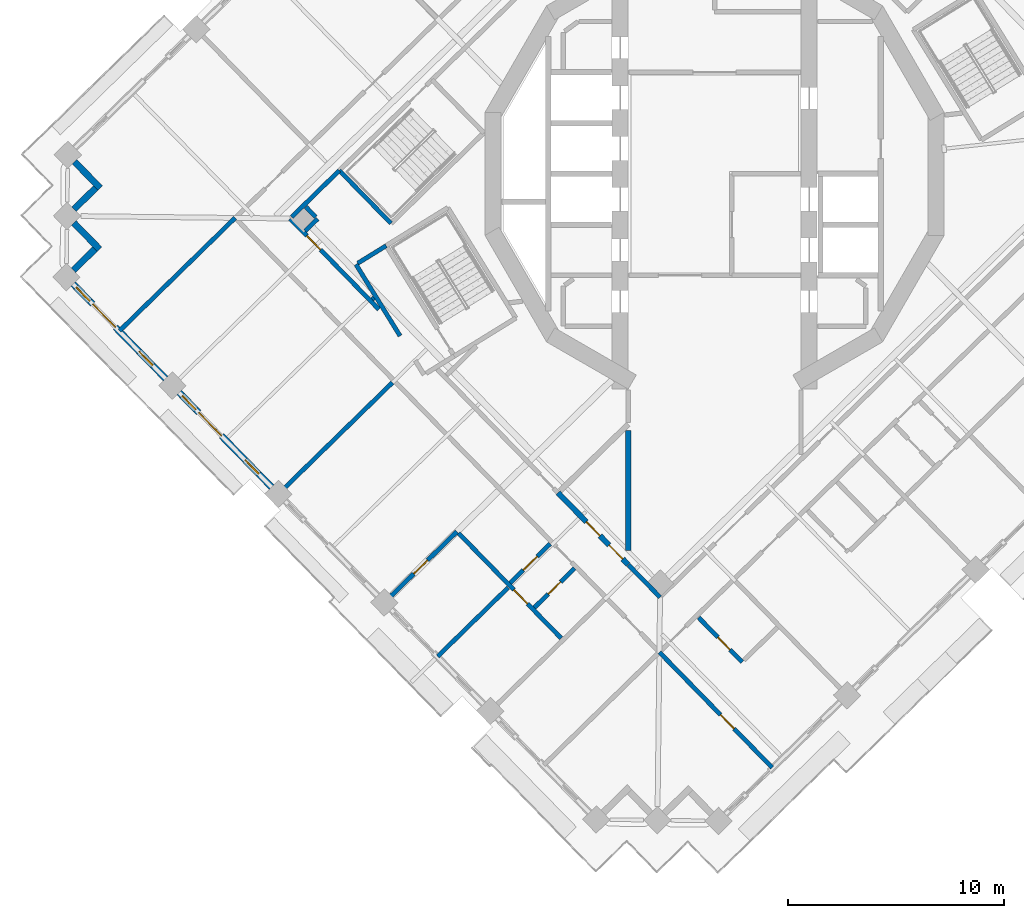
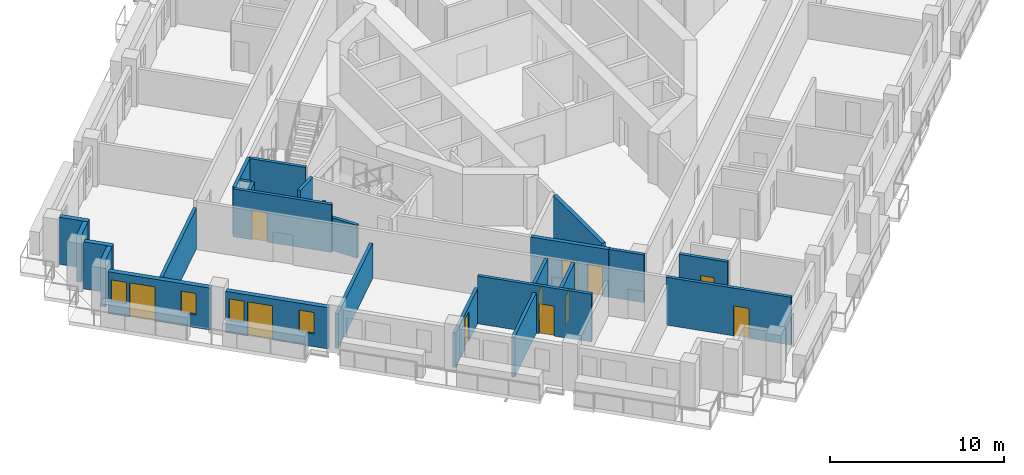
# One storey, part 7 of 20: 26 walls, 11 doors, 4 windows, 15 openings.
"""IFC4 building model written with IfcOpenShell, lengths in metres."""

from ifc_helpers import new_model, si_unit, direction, frame, frame_2d, origin, place, context, subcontext, project, spatial, rectangle, extrude, material, layer, layer_set, type_object, element, fill, save


model = new_model("IFC4")

# Units and contexts
model_context = context("Model", 3, precision=1e-05, world=origin(), true_north=direction((0.0, 1.0)))
body_context = subcontext(model_context, "Body", "Model", "MODEL_VIEW")
ifc_project = project(units=[si_unit("LENGTHUNIT", "METRE"), si_unit("AREAUNIT", "SQUARE_METRE"), si_unit("VOLUMEUNIT", "CUBIC_METRE"), si_unit("PLANEANGLEUNIT", "RADIAN"), si_unit("MASSUNIT", "GRAM", prefix="KILO")], contexts=[model_context])

# Site, building, storey
site_placement = place(None, origin())
site = spatial("IfcSite", under=ifc_project, at=site_placement, CompositionType="ELEMENT")
building_placement = place(site_placement, origin())
building = spatial("IfcBuilding", under=site, at=building_placement, Name="Cantera Rosa Tower", CompositionType="ELEMENT")
storey_placement = place(building_placement, frame((0.0, 0.0, 212.60009765625)))
storey = spatial("IfcBuildingStorey", under=building, at=storey_placement, Name="L45", CompositionType="ELEMENT", Elevation=212.60009765625)

# Wall
ifc_material_1 = material(Name="Gypsum board partition")
ifc_layer_1 = layer(ifc_material_1, 0.199951171875)
ifc_layer_set_1 = layer_set([ifc_layer_1], Name="CORRIDOR WALL 200 H2300")
wall_type_1 = type_object("IfcWallType", Name="CORRIDOR WALL 200 H2300", PredefinedType="PARTITIONING", material=ifc_layer_set_1)
wall_1_placement = place(storey_placement, frame((-16.6005859375, -4.189697265625, 0.0), z_axis=(0.0, 0.0, 1.0), x_axis=(0.524986446256, -0.851110586967, 0.0)))
element("IfcWall", 1, at=wall_1_placement, inside=storey, type_object=wall_type_1, Name="CORRIDOR WALL L45-009", PredefinedType="PARTITIONING", context=body_context, shape_type="SweptSolid", body=[
    extrude(rectangle(XDim=3.890625, YDim=0.199951171875, at=frame_2d((1.9453125, 0.0))), origin(), (0.0, 0.0, 1.0), 2.2998046875),
])

# Wall, opening, door
ifc_material_2 = material(Name="Gypsum board partition")
ifc_layer_2 = layer(ifc_material_2, 0.199951171875)
ifc_layer_set_2 = layer_set([ifc_layer_2], Name="CORRIDOR WALL 200 H3350")
wall_type_2 = type_object("IfcWallType", Name="CORRIDOR WALL 200 H3350", PredefinedType="PARTITIONING", material=ifc_layer_set_2)
wall_2_placement = place(storey_placement, frame((-19.647705078125, -2.069580078125, 0.0), z_axis=(0.0, 0.0, 1.0), x_axis=(0.698845926006, -0.715272236079, 0.0)))
wall_2 = element("IfcWall", 2, at=wall_2_placement, inside=storey, type_object=wall_type_2, Name="CORRIDOR WALL L45-003", PredefinedType="PARTITIONING", context=body_context, shape_type="SweptSolid", body=[
    extrude(rectangle(XDim=5.870849609375, YDim=0.199951171875, at=frame_2d((2.935546875, 0.0))), origin(), (0.0, 0.0, 1.0), 3.349853515625),
])
opening_1_placement = place(wall_2_placement, frame((1.11279296875, 0.0, 0.0)))
opening_1 = element("IfcOpeningElement", 3, at=opening_1_placement, cuts=wall_2, Name="Opening L45-008", PredefinedType="OPENING", context=body_context, shape_type="SweptSolid", body=[
    extrude(rectangle(XDim=0.89990234375, YDim=2.10009765625, at=frame_2d((0.449951171875, 1.050048828125))), frame((0.0, 0.10986328125, 0.0), z_axis=(0.0, -1.0, 0.0), x_axis=(1.0, 0.0, 0.0)), (0.0, 0.0, 1.0), 0.219970703125),
])
ifc_material_3 = material(Name="Timber door leaf", Category="wood")
door_type_1 = type_object("IfcDoorType", Name="SERVICE DOOR 900x2100", OperationType="NOTDEFINED", PredefinedType="DOOR", material=ifc_material_3)
door_1_placement = place(opening_1_placement, origin())
door_1 = element("IfcDoor", 4, at=door_1_placement, inside=storey, type_object=door_type_1, Name="DOOR L45-008", OperationType="NOTDEFINED", OverallHeight=2.10009765625, OverallWidth=0.89990234375, PredefinedType="DOOR", context=body_context, shape_type="SweptSolid", body=[
    extrude(rectangle(XDim=0.89990234375, YDim=2.10009765625, at=frame_2d((0.449951171875, 1.050048828125))), frame((0.0, 0.02490234375, 0.0), z_axis=(0.0, -1.0, 0.0), x_axis=(1.0, 0.0, 0.0)), (0.0, 0.0, 1.0), 0.050048828125),
])
fill(opening_1, door_1)

# Walls
wall_3_placement = place(storey_placement, frame((-17.36962890625, 0.156005859375, 0.0), z_axis=(0.0, 0.0, 1.0), x_axis=(-0.715289693103, -0.69882805821, 0.0)))
element("IfcWall", 5, at=wall_3_placement, inside=storey, type_object=wall_type_2, Name="CORRIDOR WALL L45-007", PredefinedType="PARTITIONING", context=body_context, shape_type="SweptSolid", body=[
    extrude(rectangle(XDim=3.084716796875, YDim=0.199951171875, at=frame_2d((1.54248046875, 0.0))), origin(), (0.0, 0.0, 1.0), 3.349853515625),
])
wall_4_placement = place(storey_placement, frame((-15.20068359375, -3.325927734375, 0.0), z_axis=(0.0, 0.0, 1.0), x_axis=(-0.851055543597, -0.525075672368, 0.0)))
element("IfcWall", 6, at=wall_4_placement, inside=storey, type_object=wall_type_2, Name="CORRIDOR WALL L45-013", PredefinedType="PARTITIONING", context=body_context, shape_type="SweptSolid", body=[
    extrude(rectangle(XDim=1.545166015625, YDim=0.199951171875, at=frame_2d((0.7724609375, 0.0))), origin(), (0.0, 0.0, 1.0), 3.349853515625),
])
wall_5_placement = place(storey_placement, frame((-3.986083984375, -18.10009765625, 0.0), z_axis=(0.0, 0.0, 1.0), x_axis=(0.698877234419, -0.715241645327, 0.0)))
element("IfcWall", 7, at=wall_5_placement, inside=storey, type_object=wall_type_2, Name="CORRIDOR WALL L45-054", PredefinedType="PARTITIONING", context=body_context, shape_type="SweptSolid", body=[
    extrude(rectangle(XDim=2.088623046875, YDim=0.199951171875, at=frame_2d((1.04443359375, 0.0))), origin(), (0.0, 0.0, 1.0), 3.349853515625),
])
ifc_material_4 = material(Name="Hollow clay masonry with cantera stone cladding", Category="masonry")
ifc_layer_3 = layer(ifc_material_4, 0.300048828125)
ifc_layer_set_3 = layer_set([ifc_layer_3], Name="EW-LOGGIA 300")
wall_type_3 = type_object("IfcWallType", Name="EW-LOGGIA 300", PredefinedType="SOLIDWALL", material=ifc_layer_set_3)
wall_6_placement = place(storey_placement, frame((-29.623291015625, 0.556884765625, 0.0), z_axis=(0.0, 0.0, 1.0), x_axis=(0.69880105094, -0.715316077832, 0.0)))
element("IfcWall", 8, at=wall_6_placement, inside=storey, type_object=wall_type_3, Name="EN-L45-W12a", PredefinedType="SOLIDWALL", context=body_context, shape_type="SweptSolid", body=[
    extrude(rectangle(XDim=1.699951171875, YDim=0.300048828125, at=frame_2d((0.85009765625, 0.0))), origin(), (0.0, 0.0, 1.0), 3.2998046875),
])
wall_7_placement = place(storey_placement, frame((-28.6474609375, -0.65673828125, 0.0), z_axis=(0.0, 0.0, 1.0), x_axis=(-0.715341715727, -0.698774806172, 0.0)))
element("IfcWall", 9, at=wall_7_placement, inside=storey, type_object=wall_type_3, Name="EN-L45-W12b", PredefinedType="SOLIDWALL", context=body_context, shape_type="SweptSolid", body=[
    extrude(rectangle(XDim=1.39990234375, YDim=0.300048828125, at=frame_2d((0.699951171875, 0.0))), origin(), (0.0, 0.0, 1.0), 3.2998046875),
])
wall_8_placement = place(storey_placement, frame((-29.65625, -2.271484375, 0.0), z_axis=(0.0, 0.0, 1.0), x_axis=(0.698872839675, -0.715245939495, 0.0)))
element("IfcWall", 10, at=wall_8_placement, inside=storey, type_object=wall_type_3, Name="EN-L45-W13a", PredefinedType="SOLIDWALL", context=body_context, shape_type="SweptSolid", body=[
    extrude(rectangle(XDim=1.699951171875, YDim=0.300048828125, at=frame_2d((0.85009765625, 0.0))), origin(), (0.0, 0.0, 1.0), 3.2998046875),
])
wall_9_placement = place(storey_placement, frame((-28.680419921875, -3.48486328125, 0.0), z_axis=(0.0, 0.0, 1.0), x_axis=(-0.71516937164, -0.698951192766, 0.0)))
element("IfcWall", 11, at=wall_9_placement, inside=storey, type_object=wall_type_3, Name="EN-L45-W13b", PredefinedType="SOLIDWALL", context=body_context, shape_type="SweptSolid", body=[
    extrude(rectangle(XDim=1.39990234375, YDim=0.300048828125, at=frame_2d((0.699951171875, 0.0))), origin(), (0.0, 0.0, 1.0), 3.2998046875),
])

# Wall, openings, windows, door
ifc_material_5 = material(Name="Hollow clay masonry with cantera stone cladding", Category="masonry")
ifc_layer_4 = layer(ifc_material_5, 0.300048828125)
ifc_layer_set_4 = layer_set([ifc_layer_4], Name="EW-LOGGIA 300 H2890")
wall_type_4 = type_object("IfcWallType", Name="EW-LOGGIA 300 H2890", PredefinedType="SOLIDWALL", material=ifc_layer_set_4)
wall_10_placement = place(storey_placement, frame((-24.783203125, -10.120849609375, 0.0), z_axis=(0.0, 0.0, 1.0), x_axis=(0.698800768177, -0.715316354067, 0.0)))
wall_10 = element("IfcWall", 12, at=wall_10_placement, inside=storey, type_object=wall_type_4, Name="EN-L45-W15", PredefinedType="SOLIDWALL", context=body_context, shape_type="SweptSolid", body=[
    extrude(rectangle(XDim=6.119873046875, YDim=0.300048828125, at=frame_2d((3.06005859375, 0.0))), origin(), (0.0, 0.0, 1.0), 2.889892578125),
])
opening_2_placement = place(wall_10_placement, frame((0.199951171875, 0.0, 0.89990234375)))
opening_2 = element("IfcOpeningElement", 13, at=opening_2_placement, cuts=wall_10, Name="Opening L45-W25", PredefinedType="OPENING", context=body_context, shape_type="SweptSolid", body=[
    extrude(rectangle(XDim=0.89990234375, YDim=1.5, at=frame_2d((0.449951171875, 0.75))), frame((0.0, 0.159912109375, 0.0), z_axis=(0.0, -1.0, 0.0), x_axis=(1.0, 0.0, 0.0)), (0.0, 0.0, 1.0), 0.320068359375),
])
opening_3_placement = place(wall_10_placement, frame((1.300048828125, 0.0, 0.0)))
opening_3 = element("IfcOpeningElement", 14, at=opening_3_placement, cuts=wall_10, Name="Opening L45-TD26", PredefinedType="OPENING", context=body_context, shape_type="SweptSolid", body=[
    extrude(rectangle(XDim=1.5, YDim=2.39990234375, at=frame_2d((0.75, 1.199951171875))), frame((0.0, 0.159912109375, 0.0), z_axis=(0.0, -1.0, 0.0), x_axis=(1.0, 0.0, 0.0)), (0.0, 0.0, 1.0), 0.320068359375),
])
opening_4_placement = place(wall_10_placement, frame((4.364990234375, 0.0, 0.89990234375)))
opening_4 = element("IfcOpeningElement", 15, at=opening_4_placement, cuts=wall_10, Name="Opening L45-W27", PredefinedType="OPENING", context=body_context, shape_type="SweptSolid", body=[
    extrude(rectangle(XDim=0.89990234375, YDim=1.5, at=frame_2d((0.449951171875, 0.75))), frame((0.0, 0.159912109375, 0.0), z_axis=(0.0, -1.0, 0.0), x_axis=(1.0, 0.0, 0.0)), (0.0, 0.0, 1.0), 0.320068359375),
])
ifc_material_6 = material(Name="Aluminium frame with clear glass", Category="aluminium")
window_type = type_object("IfcWindowType", Name="Residential window 900x1500", PartitioningType="SINGLE_PANEL", PredefinedType="WINDOW", material=ifc_material_6)
window_1_placement = place(opening_2_placement, origin())
window_1 = element("IfcWindow", 16, at=window_1_placement, inside=storey, type_object=window_type, Name="WINDOW L45-W25", OverallHeight=1.5, OverallWidth=0.89990234375, PartitioningType="SINGLE_PANEL", PredefinedType="WINDOW", context=body_context, shape_type="SweptSolid", body=[
    extrude(rectangle(XDim=0.89990234375, YDim=1.5, at=frame_2d((0.449951171875, 0.75))), frame((0.0, 0.030029296875, 0.0), z_axis=(0.0, -1.0, 0.0), x_axis=(1.0, 0.0, 0.0)), (0.0, 0.0, 1.0), 0.06005859375),
])
fill(opening_2, window_1)
window_2_placement = place(opening_4_placement, origin())
window_2 = element("IfcWindow", 17, at=window_2_placement, inside=storey, type_object=window_type, Name="WINDOW L45-W27", OverallHeight=1.5, OverallWidth=0.89990234375, PartitioningType="SINGLE_PANEL", PredefinedType="WINDOW", context=body_context, shape_type="SweptSolid", body=[
    extrude(rectangle(XDim=0.89990234375, YDim=1.5, at=frame_2d((0.449951171875, 0.75))), frame((0.0, 0.030029296875, 0.0), z_axis=(0.0, -1.0, 0.0), x_axis=(1.0, 0.0, 0.0)), (0.0, 0.0, 1.0), 0.06005859375),
])
fill(opening_4, window_2)
ifc_material_7 = material(Name="Aluminium frame with clear glass", Category="aluminium")
door_type_2 = type_object("IfcDoorType", Name="TD-R 1500x2400", OperationType="NOTDEFINED", PredefinedType="DOOR", material=ifc_material_7)
door_2_placement = place(opening_3_placement, origin())
door_2 = element("IfcDoor", 18, at=door_2_placement, inside=storey, type_object=door_type_2, Name="LOGGIA DOOR L45-TD26", OperationType="SLIDING_TO_LEFT", OverallHeight=2.39990234375, OverallWidth=1.5, PredefinedType="DOOR", context=body_context, shape_type="SweptSolid", body=[
    extrude(rectangle(XDim=1.5, YDim=2.39990234375, at=frame_2d((0.75, 1.199951171875))), frame((0.0, 0.02490234375, 0.0), z_axis=(0.0, -1.0, 0.0), x_axis=(1.0, 0.0, 0.0)), (0.0, 0.0, 1.0), 0.050048828125),
])
fill(opening_3, door_2)

ifc_material_8 = material(Name="Hollow clay masonry with cantera stone cladding", Category="masonry")
ifc_layer_5 = layer(ifc_material_8, 0.300048828125)
ifc_layer_set_5 = layer_set([ifc_layer_5], Name="EW-LOGGIA 300 H2940")
wall_type_5 = type_object("IfcWallType", Name="EW-LOGGIA 300 H2940", PredefinedType="SOLIDWALL", material=ifc_layer_set_5)
wall_11_placement = place(storey_placement, frame((-29.689208984375, -5.099609375, 0.0), z_axis=(0.0, 0.0, 1.0), x_axis=(0.69882117953, -0.715296413412, 0.0)))
wall_11 = element("IfcWall", 19, at=wall_11_placement, inside=storey, type_object=wall_type_5, Name="EN-L45-W14", PredefinedType="SOLIDWALL", context=body_context, shape_type="SweptSolid", body=[
    extrude(rectangle(XDim=6.1201171875, YDim=0.300048828125, at=frame_2d((3.06005859375, 0.0))), origin(), (0.0, 0.0, 1.0), 2.93994140625),
])
opening_5_placement = place(wall_11_placement, frame((0.199951171875, 0.0, 0.89990234375)))
opening_5 = element("IfcOpeningElement", 20, at=opening_5_placement, cuts=wall_11, Name="Opening L45-W22", PredefinedType="OPENING", context=body_context, shape_type="SweptSolid", body=[
    extrude(rectangle(XDim=0.89990234375, YDim=1.5, at=frame_2d((0.449951171875, 0.75))), frame((0.0, 0.159912109375, 0.0), z_axis=(0.0, -1.0, 0.0), x_axis=(1.0, 0.0, 0.0)), (0.0, 0.0, 1.0), 0.320068359375),
])
opening_6_placement = place(wall_11_placement, frame((1.300048828125, 0.0, 0.0)))
opening_6 = element("IfcOpeningElement", 21, at=opening_6_placement, cuts=wall_11, Name="Opening L45-TD23", PredefinedType="OPENING", context=body_context, shape_type="SweptSolid", body=[
    extrude(rectangle(XDim=1.5, YDim=2.39990234375, at=frame_2d((0.75, 1.199951171875))), frame((0.0, 0.159912109375, 0.0), z_axis=(0.0, -1.0, 0.0), x_axis=(1.0, 0.0, 0.0)), (0.0, 0.0, 1.0), 0.320068359375),
])
opening_7_placement = place(wall_11_placement, frame((4.364990234375, 0.0, 0.89990234375)))
opening_7 = element("IfcOpeningElement", 22, at=opening_7_placement, cuts=wall_11, Name="Opening L45-W24", PredefinedType="OPENING", context=body_context, shape_type="SweptSolid", body=[
    extrude(rectangle(XDim=0.89990234375, YDim=1.5, at=frame_2d((0.449951171875, 0.75))), frame((0.0, 0.159912109375, 0.0), z_axis=(0.0, -1.0, 0.0), x_axis=(1.0, 0.0, 0.0)), (0.0, 0.0, 1.0), 0.320068359375),
])
window_3_placement = place(opening_5_placement, origin())
window_3 = element("IfcWindow", 23, at=window_3_placement, inside=storey, type_object=window_type, Name="WINDOW L45-W22", OverallHeight=1.5, OverallWidth=0.89990234375, PartitioningType="SINGLE_PANEL", PredefinedType="WINDOW", context=body_context, shape_type="SweptSolid", body=[
    extrude(rectangle(XDim=0.89990234375, YDim=1.5, at=frame_2d((0.449951171875, 0.75))), frame((0.0, 0.030029296875, 0.0), z_axis=(0.0, -1.0, 0.0), x_axis=(1.0, 0.0, 0.0)), (0.0, 0.0, 1.0), 0.06005859375),
])
fill(opening_5, window_3)
window_4_placement = place(opening_7_placement, origin())
window_4 = element("IfcWindow", 24, at=window_4_placement, inside=storey, type_object=window_type, Name="WINDOW L45-W24", OverallHeight=1.5, OverallWidth=0.89990234375, PartitioningType="SINGLE_PANEL", PredefinedType="WINDOW", context=body_context, shape_type="SweptSolid", body=[
    extrude(rectangle(XDim=0.89990234375, YDim=1.5, at=frame_2d((0.449951171875, 0.75))), frame((0.0, 0.030029296875, 0.0), z_axis=(0.0, -1.0, 0.0), x_axis=(1.0, 0.0, 0.0)), (0.0, 0.0, 1.0), 0.06005859375),
])
fill(opening_7, window_4)
door_3_placement = place(opening_6_placement, origin())
door_3 = element("IfcDoor", 25, at=door_3_placement, inside=storey, type_object=door_type_2, Name="LOGGIA DOOR L45-TD23", OperationType="SLIDING_TO_LEFT", OverallHeight=2.39990234375, OverallWidth=1.5, PredefinedType="DOOR", context=body_context, shape_type="SweptSolid", body=[
    extrude(rectangle(XDim=1.5, YDim=2.39990234375, at=frame_2d((0.75, 1.199951171875))), frame((0.0, 0.02490234375, 0.0), z_axis=(0.0, -1.0, 0.0), x_axis=(1.0, 0.0, 0.0)), (0.0, 0.0, 1.0), 0.050048828125),
])
fill(opening_6, door_3)

# Wall, opening, door
ifc_material_9 = material(Name="Gypsum board partition")
ifc_layer_6 = layer(ifc_material_9, 0.199951171875)
ifc_layer_set_6 = layer_set([ifc_layer_6], Name="PARTITION 200 H2450")
wall_type_6 = type_object("IfcWallType", Name="PARTITION 200 H2450", PredefinedType="PARTITIONING", material=ifc_layer_set_6)
wall_12_placement = place(storey_placement, frame((-15.2646484375, -19.82080078125, 0.0), z_axis=(0.0, 0.0, 1.0), x_axis=(0.715266781779, 0.698851508465, 0.0)))
wall_12 = element("IfcWall", 26, at=wall_12_placement, inside=storey, type_object=wall_type_6, Name="PARTITION L45-012", PredefinedType="PARTITIONING", context=body_context, shape_type="SweptSolid", body=[
    extrude(rectangle(XDim=4.670166015625, YDim=0.199951171875, at=frame_2d((2.3349609375, 0.0))), origin(), (0.0, 0.0, 1.0), 2.449951171875),
])
opening_8_placement = place(wall_12_placement, frame((1.8701171875, 0.0, 0.0)))
opening_8 = element("IfcOpeningElement", 27, at=opening_8_placement, cuts=wall_12, Name="Opening L45-043", PredefinedType="OPENING", context=body_context, shape_type="SweptSolid", body=[
    extrude(rectangle(XDim=0.89990234375, YDim=2.10009765625, at=frame_2d((0.449951171875, 1.050048828125))), frame((0.0, 0.10986328125, 0.0), z_axis=(0.0, -1.0, 0.0), x_axis=(1.0, 0.0, 0.0)), (0.0, 0.0, 1.0), 0.219970703125),
])
ifc_material_10 = material(Name="Timber door leaf", Category="wood")
door_type_3 = type_object("IfcDoorType", Name="ROOM DOOR 900x2100", OperationType="NOTDEFINED", PredefinedType="DOOR", material=ifc_material_10)
door_4_placement = place(opening_8_placement, origin())
door_4 = element("IfcDoor", 28, at=door_4_placement, inside=storey, type_object=door_type_3, Name="DOOR L45-043", OperationType="NOTDEFINED", OverallHeight=2.10009765625, OverallWidth=0.89990234375, PredefinedType="DOOR", context=body_context, shape_type="SweptSolid", body=[
    extrude(rectangle(XDim=0.89990234375, YDim=2.10009765625, at=frame_2d((0.449951171875, 1.050048828125))), frame((0.0, 0.02490234375, 0.0), z_axis=(0.0, -1.0, 0.0), x_axis=(1.0, 0.0, 0.0)), (0.0, 0.0, 1.0), 0.050048828125),
])
fill(opening_8, door_4)

# Walls
ifc_material_11 = material(Name="Gypsum board partition")
ifc_layer_7 = layer(ifc_material_11, 0.199951171875)
ifc_layer_set_7 = layer_set([ifc_layer_7], Name="PARTITION 200 H2850")
wall_type_7 = type_object("IfcWallType", Name="PARTITION 200 H2850", PredefinedType="PARTITIONING", material=ifc_layer_set_7)
wall_13_placement = place(storey_placement, frame((-22.193115234375, -2.0400390625, 0.0), z_axis=(0.0, 0.0, 1.0), x_axis=(-0.715278908715, -0.698839096465, 0.0)))
element("IfcWall", 29, at=wall_13_placement, inside=storey, type_object=wall_type_7, Name="PARTITION L45-001", PredefinedType="PARTITIONING", context=body_context, shape_type="SweptSolid", body=[
    extrude(rectangle(XDim=7.4697265625, YDim=0.199951171875, at=frame_2d((3.73486328125, 0.0))), origin(), (0.0, 0.0, 1.0), 2.849853515625),
])
wall_14_placement = place(storey_placement, frame((-12.811767578125, -22.331298828125, 0.0), z_axis=(0.0, 0.0, 1.0), x_axis=(0.715268883314, 0.698849357561, 0.0)))
element("IfcWall", 30, at=wall_14_placement, inside=storey, type_object=wall_type_7, Name="PARTITION L45-020", PredefinedType="PARTITIONING", context=body_context, shape_type="SweptSolid", body=[
    extrude(rectangle(XDim=4.5498046875, YDim=0.199951171875, at=frame_2d((2.27490234375, 0.0))), origin(), (0.0, 0.0, 1.0), 2.849853515625),
])
ifc_material_12 = material(Name="Gypsum board partition")
ifc_layer_8 = layer(ifc_material_12, 0.199951171875)
ifc_layer_set_8 = layer_set([ifc_layer_8], Name="PARTITION 200 H3350")
wall_type_8 = type_object("IfcWallType", Name="PARTITION 200 H3350", PredefinedType="PARTITIONING", material=ifc_layer_set_8)
wall_15_placement = place(storey_placement, frame((-18.947021484375, -2.6435546875, 0.0), z_axis=(0.0, 0.0, 1.0), x_axis=(0.715149057924, 0.698971977228, 0.0)))
element("IfcWall", 31, at=wall_15_placement, inside=storey, type_object=wall_type_8, Name="PARTITION L45-004", PredefinedType="PARTITIONING", context=body_context, shape_type="SweptSolid", body=[
    extrude(rectangle(XDim=0.7998046875, YDim=0.199951171875, at=frame_2d((0.39990234375, 0.0))), origin(), (0.0, 0.0, 1.0), 3.349853515625),
])
wall_16_placement = place(storey_placement, frame((-18.458740234375, -1.99853515625, 0.0), z_axis=(0.0, 0.0, 1.0), x_axis=(-0.698920044304, 0.715199812409, 0.0)))
element("IfcWall", 32, at=wall_16_placement, inside=storey, type_object=wall_type_8, Name="PARTITION L45-006", PredefinedType="PARTITIONING", context=body_context, shape_type="SweptSolid", body=[
    extrude(rectangle(XDim=0.659912109375, YDim=0.199951171875, at=frame_2d((0.330078125, 0.0))), origin(), (0.0, 0.0, 1.0), 3.349853515625),
])
wall_17_placement = place(storey_placement, frame((-15.76025390625, -5.741455078125, 0.0), z_axis=(0.0, 0.0, 1.0), x_axis=(-0.787193992955, -0.616705454374, 0.0)))
element("IfcWall", 33, at=wall_17_placement, inside=storey, type_object=wall_type_8, Name="PARTITION L45-011", PredefinedType="PARTITIONING", context=body_context, shape_type="SweptSolid", body=[
    extrude(rectangle(XDim=0.115966796875, YDim=0.199951171875, at=frame_2d((0.05810546875, 0.0))), origin(), (0.0, 0.0, 1.0), 3.349853515625),
])

# Wall, opening, door
wall_18_placement = place(storey_placement, frame((-11.8544921875, -16.628662109375, 0.0), z_axis=(0.0, 0.0, 1.0), x_axis=(0.698837366631, -0.715280598787, 0.0)))
wall_18 = element("IfcWall", 34, at=wall_18_placement, inside=storey, type_object=wall_type_8, Name="PARTITION L45-025", PredefinedType="PARTITIONING", context=body_context, shape_type="SweptSolid", body=[
    extrude(rectangle(XDim=6.800048828125, YDim=0.199951171875, at=frame_2d((3.39990234375, 0.0))), origin(), (0.0, 0.0, 1.0), 3.349853515625),
])
opening_9_placement = place(wall_18_placement, frame((3.669921875, 0.0, 0.0)))
opening_9 = element("IfcOpeningElement", 35, at=opening_9_placement, cuts=wall_18, Name="Opening L45-042", PredefinedType="OPENING", context=body_context, shape_type="SweptSolid", body=[
    extrude(rectangle(XDim=0.89990234375, YDim=2.10009765625, at=frame_2d((0.449951171875, 1.050048828125))), frame((0.0, 0.10986328125, 0.0), z_axis=(0.0, -1.0, 0.0), x_axis=(1.0, 0.0, 0.0)), (0.0, 0.0, 1.0), 0.219970703125),
])
door_5_placement = place(opening_9_placement, origin())
door_5 = element("IfcDoor", 36, at=door_5_placement, inside=storey, type_object=door_type_3, Name="DOOR L45-042", OperationType="NOTDEFINED", OverallHeight=2.10009765625, OverallWidth=0.89990234375, PredefinedType="DOOR", context=body_context, shape_type="SweptSolid", body=[
    extrude(rectangle(XDim=0.89990234375, YDim=2.10009765625, at=frame_2d((0.449951171875, 1.050048828125))), frame((0.0, 0.02490234375, 0.0), z_axis=(0.0, -1.0, 0.0), x_axis=(1.0, 0.0, 0.0)), (0.0, 0.0, 1.0), 0.050048828125),
])
fill(opening_9, door_5)

wall_19_placement = place(storey_placement, frame((-9.462890625, -18.93359375, 0.0), z_axis=(0.0, 0.0, 1.0), x_axis=(0.715291472517, 0.698826236875, 0.0)))
wall_19 = element("IfcWall", 37, at=wall_19_placement, inside=storey, type_object=wall_type_8, Name="PARTITION L45-028", PredefinedType="PARTITIONING", context=body_context, shape_type="SweptSolid", body=[
    extrude(rectangle(XDim=2.580078125, YDim=0.199951171875, at=frame_2d((1.2900390625, 0.0))), origin(), (0.0, 0.0, 1.0), 3.349853515625),
])
opening_10_placement = place(wall_19_placement, frame((0.85009765625, 0.0, 0.0)))
opening_10 = element("IfcOpeningElement", 38, at=opening_10_placement, cuts=wall_19, Name="Opening L45-041", PredefinedType="OPENING", context=body_context, shape_type="SweptSolid", body=[
    extrude(rectangle(XDim=0.89990234375, YDim=2.10009765625, at=frame_2d((0.449951171875, 1.050048828125))), frame((0.0, 0.10986328125, 0.0), z_axis=(0.0, -1.0, 0.0), x_axis=(1.0, 0.0, 0.0)), (0.0, 0.0, 1.0), 0.219970703125),
])
door_6_placement = place(opening_10_placement, origin())
door_6 = element("IfcDoor", 39, at=door_6_placement, inside=storey, type_object=door_type_3, Name="DOOR L45-041", OperationType="NOTDEFINED", OverallHeight=2.10009765625, OverallWidth=0.89990234375, PredefinedType="DOOR", context=body_context, shape_type="SweptSolid", body=[
    extrude(rectangle(XDim=0.89990234375, YDim=2.10009765625, at=frame_2d((0.449951171875, 1.050048828125))), frame((0.0, 0.02490234375, 0.0), z_axis=(0.0, -1.0, 0.0), x_axis=(1.0, 0.0, 0.0)), (0.0, 0.0, 1.0), 0.050048828125),
])
fill(opening_10, door_6)

wall_20_placement = place(storey_placement, frame((-8.3447265625, -20.077880859375, 0.0), z_axis=(0.0, 0.0, 1.0), x_axis=(0.715321599766, 0.698795398459, 0.0)))
wall_20 = element("IfcWall", 40, at=wall_20_placement, inside=storey, type_object=wall_type_8, Name="PARTITION L45-033", PredefinedType="PARTITIONING", context=body_context, shape_type="SweptSolid", body=[
    extrude(rectangle(XDim=2.60009765625, YDim=0.199951171875, at=frame_2d((1.300048828125, 0.0))), origin(), (0.0, 0.0, 1.0), 3.349853515625),
])
opening_11_placement = place(wall_20_placement, frame((0.89990234375, 0.0, 0.0)))
opening_11 = element("IfcOpeningElement", 41, at=opening_11_placement, cuts=wall_20, Name="Opening L45-040", PredefinedType="OPENING", context=body_context, shape_type="SweptSolid", body=[
    extrude(rectangle(XDim=0.800048828125, YDim=2.10009765625, at=frame_2d((0.39990234375, 1.050048828125))), frame((0.0, 0.10986328125, 0.0), z_axis=(0.0, -1.0, 0.0), x_axis=(1.0, 0.0, 0.0)), (0.0, 0.0, 1.0), 0.219970703125),
])
ifc_material_13 = material(Name="Timber door leaf", Category="wood")
door_type_4 = type_object("IfcDoorType", Name="BATHROOM DOOR 800x2100", OperationType="NOTDEFINED", PredefinedType="DOOR", material=ifc_material_13)
door_7_placement = place(opening_11_placement, origin())
door_7 = element("IfcDoor", 42, at=door_7_placement, inside=storey, type_object=door_type_4, Name="DOOR L45-040", OperationType="NOTDEFINED", OverallHeight=2.10009765625, OverallWidth=0.800048828125, PredefinedType="DOOR", context=body_context, shape_type="SweptSolid", body=[
    extrude(rectangle(XDim=0.800048828125, YDim=2.10009765625, at=frame_2d((0.39990234375, 1.050048828125))), frame((0.0, 0.02490234375, 0.0), z_axis=(0.0, -1.0, 0.0), x_axis=(1.0, 0.0, 0.0)), (0.0, 0.0, 1.0), 0.050048828125),
])
fill(opening_11, door_7)

wall_21_placement = place(storey_placement, frame((-2.555908203125, -22.1396484375, 0.0), z_axis=(0.0, 0.0, 1.0), x_axis=(0.698839096465, -0.715278908715, 0.0)))
wall_21 = element("IfcWall", 43, at=wall_21_placement, inside=storey, type_object=wall_type_8, Name="PARTITION L45-061", PredefinedType="PARTITIONING", context=body_context, shape_type="SweptSolid", body=[
    extrude(rectangle(XDim=7.4697265625, YDim=0.199951171875, at=frame_2d((3.73486328125, 0.0))), origin(), (0.0, 0.0, 1.0), 3.349853515625),
])
opening_12_placement = place(wall_21_placement, frame((4.050048828125, 0.0, 0.0)))
opening_12 = element("IfcOpeningElement", 44, at=opening_12_placement, cuts=wall_21, Name="Opening L45-055", PredefinedType="OPENING", context=body_context, shape_type="SweptSolid", body=[
    extrude(rectangle(XDim=0.89990234375, YDim=2.10009765625, at=frame_2d((0.449951171875, 1.050048828125))), frame((0.0, 0.10986328125, 0.0), z_axis=(0.0, -1.0, 0.0), x_axis=(1.0, 0.0, 0.0)), (0.0, 0.0, 1.0), 0.219970703125),
])
door_8_placement = place(opening_12_placement, origin())
door_8 = element("IfcDoor", 45, at=door_8_placement, inside=storey, type_object=door_type_3, Name="DOOR L45-055", OperationType="NOTDEFINED", OverallHeight=2.10009765625, OverallWidth=0.89990234375, PredefinedType="DOOR", context=body_context, shape_type="SweptSolid", body=[
    extrude(rectangle(XDim=0.89990234375, YDim=2.10009765625, at=frame_2d((0.449951171875, 1.050048828125))), frame((0.0, 0.02490234375, 0.0), z_axis=(0.0, -1.0, 0.0), x_axis=(1.0, 0.0, 0.0)), (0.0, 0.0, 1.0), 0.050048828125),
])
fill(opening_12, door_8)

wall_22_placement = place(storey_placement, frame((1.271484375, -22.59423828125, 0.0), z_axis=(0.0, 0.0, 1.0), x_axis=(-0.698792995546, 0.715323947157, 0.0)))
wall_22 = element("IfcWall", 46, at=wall_22_placement, inside=storey, type_object=wall_type_8, Name="PARTITION L45-071", PredefinedType="PARTITIONING", context=body_context, shape_type="SweptSolid", body=[
    extrude(rectangle(XDim=2.8798828125, YDim=0.199951171875, at=frame_2d((1.43994140625, 0.0))), origin(), (0.0, 0.0, 1.0), 3.349853515625),
])
opening_13_placement = place(wall_22_placement, frame((0.800048828125, 0.0, 0.0)))
opening_13 = element("IfcOpeningElement", 47, at=opening_13_placement, cuts=wall_22, Name="Opening L45-054", PredefinedType="OPENING", context=body_context, shape_type="SweptSolid", body=[
    extrude(rectangle(XDim=0.800048828125, YDim=2.10009765625, at=frame_2d((0.39990234375, 1.050048828125))), frame((0.0, 0.10986328125, 0.0), z_axis=(0.0, -1.0, 0.0), x_axis=(1.0, 0.0, 0.0)), (0.0, 0.0, 1.0), 0.219970703125),
])
door_9_placement = place(opening_13_placement, origin())
door_9 = element("IfcDoor", 48, at=door_9_placement, inside=storey, type_object=door_type_4, Name="DOOR L45-054", OperationType="NOTDEFINED", OverallHeight=2.10009765625, OverallWidth=0.800048828125, PredefinedType="DOOR", context=body_context, shape_type="SweptSolid", body=[
    extrude(rectangle(XDim=0.800048828125, YDim=2.10009765625, at=frame_2d((0.39990234375, 1.050048828125))), frame((0.0, 0.02490234375, 0.0), z_axis=(0.0, -1.0, 0.0), x_axis=(1.0, 0.0, 0.0)), (0.0, 0.0, 1.0), 0.050048828125),
])
fill(opening_13, door_9)

# Wall
ifc_material_14 = material(Name="Gypsum board partition")
ifc_layer_9 = layer(ifc_material_14, 0.199951171875)
ifc_layer_set_9 = layer_set([ifc_layer_9], Name="PARTY WALL 200 H2450")
wall_type_9 = type_object("IfcWallType", Name="PARTY WALL 200 H2450", PredefinedType="PARTITIONING", material=ifc_layer_set_9)
wall_23_placement = place(storey_placement, frame((-14.9130859375, -9.6630859375, 0.0), z_axis=(0.0, 0.0, 1.0), x_axis=(-0.715296630095, -0.698820957739, 0.0)))
element("IfcWall", 49, at=wall_23_placement, inside=storey, type_object=wall_type_9, Name="PARTY WALL L45-015", PredefinedType="PARTITIONING", context=body_context, shape_type="SweptSolid", body=[
    extrude(rectangle(XDim=7.349853515625, YDim=0.199951171875, at=frame_2d((3.6748046875, 0.0))), origin(), (0.0, 0.0, 1.0), 2.449951171875),
])

# Wall, openings, doors
ifc_material_15 = material(Name="Masonry blockwork", Category="masonry")
ifc_layer_10 = layer(ifc_material_15, 0.25)
ifc_layer_set_10 = layer_set([ifc_layer_10], Name="SHAFT WALL 250 H3350")
wall_type_10 = type_object("IfcWallType", Name="SHAFT WALL 250 H3350", PredefinedType="SOLIDWALL", material=ifc_layer_set_10)
wall_24_placement = place(storey_placement, frame((-7.243408203125, -14.76611328125, 0.0), z_axis=(0.0, 0.0, 1.0), x_axis=(0.698852834241, -0.715265486427, 0.0)))
wall_24 = element("IfcWall", 50, at=wall_24_placement, inside=storey, type_object=wall_type_10, Name="SHAFT WALL L45-042", PredefinedType="SOLIDWALL", context=body_context, shape_type="SweptSolid", body=[
    extrude(rectangle(XDim=4.64111328125, YDim=0.25, at=frame_2d((2.320556640625, 0.0))), origin(), (0.0, 0.0, 1.0), 3.349853515625),
])
opening_14_placement = place(wall_24_placement, frame((3.37890625, 0.0, 0.0)))
opening_14 = element("IfcOpeningElement", 51, at=opening_14_placement, cuts=wall_24, Name="Opening L45-010", PredefinedType="OPENING", context=body_context, shape_type="SweptSolid", body=[
    extrude(rectangle(XDim=0.89990234375, YDim=2.10009765625, at=frame_2d((0.449951171875, 1.050048828125))), frame((0.0, 0.135009765625, 0.0), z_axis=(0.0, -1.0, 0.0), x_axis=(1.0, 0.0, 0.0)), (0.0, 0.0, 1.0), 0.27001953125),
])
opening_15_placement = place(wall_24_placement, frame((1.87060546875, 0.0, 0.0)))
opening_15 = element("IfcOpeningElement", 52, at=opening_15_placement, cuts=wall_24, Name="Opening L45-057", PredefinedType="OPENING", context=body_context, shape_type="SweptSolid", body=[
    extrude(rectangle(XDim=0.89990234375, YDim=2.10009765625, at=frame_2d((0.449951171875, 1.050048828125))), frame((0.0, 0.135009765625, 0.0), z_axis=(0.0, -1.0, 0.0), x_axis=(1.0, 0.0, 0.0)), (0.0, 0.0, 1.0), 0.27001953125),
])
door_10_placement = place(opening_14_placement, origin())
door_10 = element("IfcDoor", 53, at=door_10_placement, inside=storey, type_object=door_type_1, Name="RISER DOOR L45-010", OperationType="NOTDEFINED", OverallHeight=2.10009765625, OverallWidth=0.89990234375, PredefinedType="DOOR", context=body_context, shape_type="SweptSolid", body=[
    extrude(rectangle(XDim=0.89990234375, YDim=2.10009765625, at=frame_2d((0.449951171875, 1.050048828125))), frame((0.0, 0.02490234375, 0.0), z_axis=(0.0, -1.0, 0.0), x_axis=(1.0, 0.0, 0.0)), (0.0, 0.0, 1.0), 0.050048828125),
])
fill(opening_14, door_10)
door_11_placement = place(opening_15_placement, origin())
door_11 = element("IfcDoor", 54, at=door_11_placement, inside=storey, type_object=door_type_1, Name="RISER DOOR L45-057", OperationType="NOTDEFINED", OverallHeight=2.10009765625, OverallWidth=0.89990234375, PredefinedType="DOOR", context=body_context, shape_type="SweptSolid", body=[
    extrude(rectangle(XDim=0.89990234375, YDim=2.10009765625, at=frame_2d((0.449951171875, 1.050048828125))), frame((0.0, 0.02490234375, 0.0), z_axis=(0.0, -1.0, 0.0), x_axis=(1.0, 0.0, 0.0)), (0.0, 0.0, 1.0), 0.050048828125),
])
fill(opening_15, door_11)

# Walls
wall_25_placement = place(storey_placement, frame((-4.0, -11.877197265625, 0.0), z_axis=(0.0, 0.0, 1.0), x_axis=(0.0, -1.0, 0.0)))
element("IfcWall", 55, at=wall_25_placement, inside=storey, type_object=wall_type_10, Name="SHAFT WALL L45-056", PredefinedType="SOLIDWALL", context=body_context, shape_type="SweptSolid", body=[
    extrude(rectangle(XDim=5.564697265625, YDim=0.25, at=frame_2d((2.7822265625, 0.0))), origin(), (0.0, 0.0, 1.0), 3.349853515625),
])
ifc_material_16 = material(Name="Concrete C50/60", Category="concrete")
ifc_layer_11 = layer(ifc_material_16, 0.199951171875)
ifc_layer_set_11 = layer_set([ifc_layer_11], Name="STAIR WALL 200 H3350")
wall_type_11 = type_object("IfcWallType", Name="STAIR WALL 200 H3350", PredefinedType="SOLIDWALL", material=ifc_layer_set_11)
wall_26_placement = place(storey_placement, frame((-17.36962890625, 0.156005859375, 0.0), z_axis=(0.0, 0.0, 1.0), x_axis=(0.698828566482, -0.715289196527, 0.0)))
element("IfcWall", 56, at=wall_26_placement, inside=storey, type_object=wall_type_11, Name="STAIR WALL L45-008", PredefinedType="SOLIDWALL", context=body_context, shape_type="SweptSolid", body=[
    extrude(rectangle(XDim=3.426025390625, YDim=0.199951171875, at=frame_2d((1.712890625, 0.0))), origin(), (0.0, 0.0, 1.0), 3.349853515625),
])

save(model, "model.ifc")
